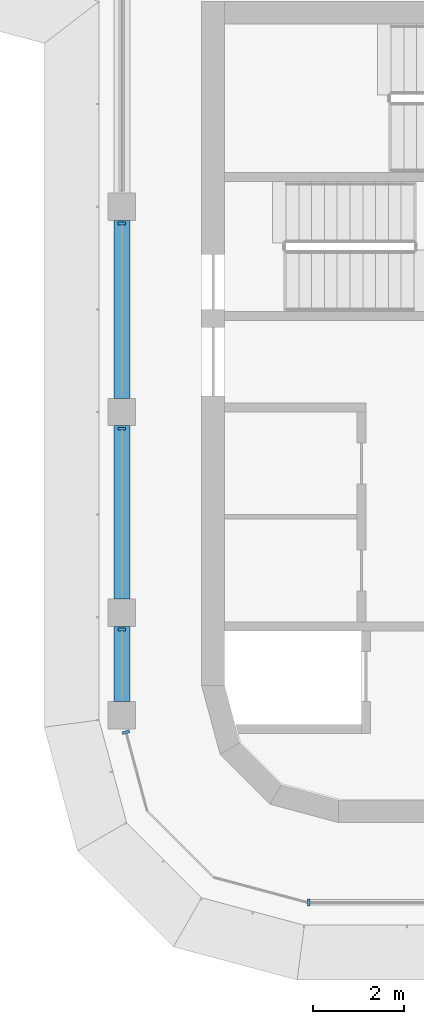
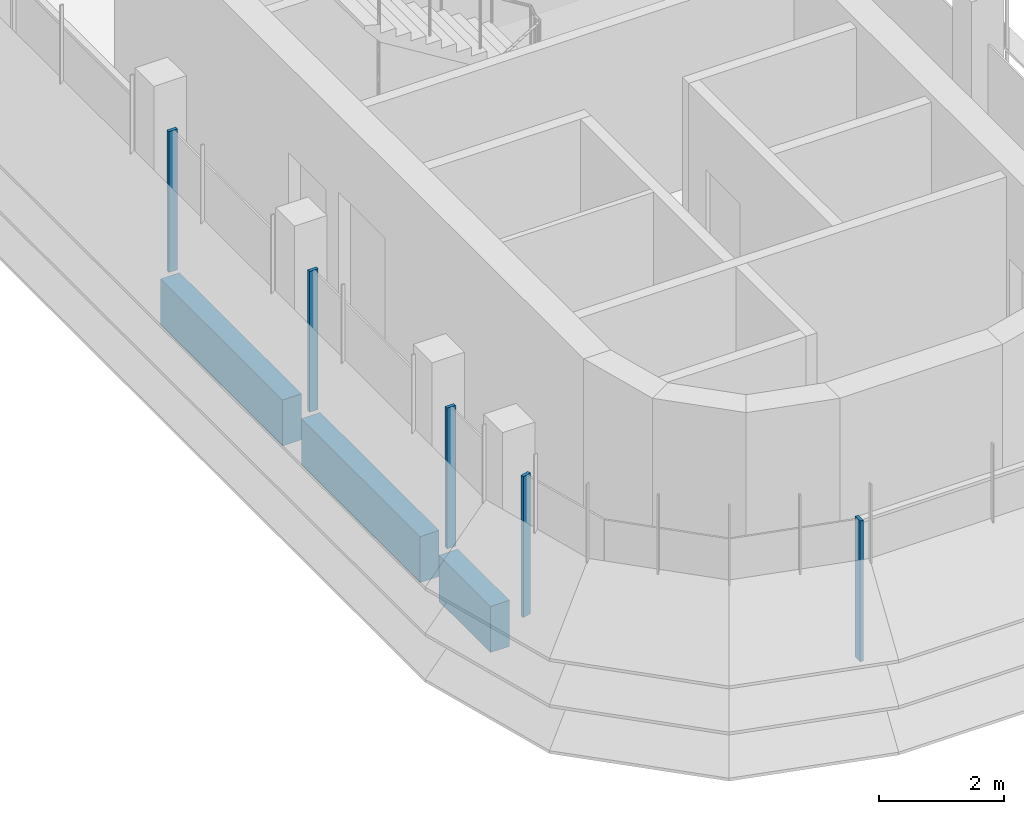
# One storey, part 2 of 19: 5 members, 3 beams, 3 elements without a shape of their own.
"""IFC4 building model written with IfcOpenShell, lengths in metres."""

from ifc_helpers import new_model, si_unit, direction, frame, origin, origin_2d, place, context, subcontext, project, spatial, polyline, rectangle, outline, extrude, source, transform, mapped, material, material_profile, profile_set, type_object, element, aggregate, save


model = new_model("IFC4")

# Units and contexts
model_context = context("Model", 3, precision=1e-05, world=origin(), true_north=direction((0.0, 1.0)))
body_context = subcontext(model_context, "Body", "Model", "MODEL_VIEW")
ifc_project = project(units=[si_unit("LENGTHUNIT", "METRE"), si_unit("AREAUNIT", "SQUARE_METRE"), si_unit("VOLUMEUNIT", "CUBIC_METRE"), si_unit("PLANEANGLEUNIT", "RADIAN"), si_unit("MASSUNIT", "GRAM", prefix="KILO")], contexts=[model_context])

# Site, building, storey
site_placement = place(None, origin())
site = spatial("IfcSite", under=ifc_project, at=site_placement, CompositionType="ELEMENT")
building_placement = place(site_placement, origin())
building = spatial("IfcBuilding", under=site, at=building_placement, Name="Zarbagh Exchange Tower", CompositionType="ELEMENT")
storey_placement = place(building_placement, frame((0.0, 0.0, 261.199951171875)))
storey = spatial("IfcBuildingStorey", under=building, at=storey_placement, Name="L64", CompositionType="ELEMENT", Elevation=261.199951171875)

# Beams
ifc_material_1 = material(Name="Concrete C40/50", Category="concrete")
ifc_material_profile = material_profile(ifc_material_1, rectangle(XDim=0.35009765625, YDim=0.89990234375, at=origin_2d()), Name="RC spandrel beam 350 x 900 C40/50")
ifc_profile_set = profile_set([ifc_material_profile], Name="Concrete C40/50")
beam_type = type_object("IfcBeamType", Name="RC spandrel beam 350 x 900 C40/50", PredefinedType="SPANDREL", material=ifc_profile_set)
beam_1_placement = place(storey_placement, frame((-6.25, -26.60009765625, -0.599853515625), z_axis=(0.0, 1.0, 0.0), x_axis=(-1.0, 0.0, 0.0)))
element("IfcBeam", 1, at=beam_1_placement, inside=storey, type_object=beam_type, Name="RC spandrel beam", PredefinedType="SPANDREL", context=body_context, shape_type="SweptSolid", body=[
    extrude(rectangle(XDim=0.35009765625, YDim=0.89990234375, at=origin_2d()), origin(), (0.0, 0.0, 1.0), 1.650146484375),
])
beam_2_placement = place(storey_placement, frame((-6.25, -24.35009765625, -0.599853515625), z_axis=(0.0, 1.0, 0.0), x_axis=(-1.0, 0.0, 0.0)))
element("IfcBeam", 2, at=beam_2_placement, inside=storey, type_object=beam_type, Name="RC spandrel beam", PredefinedType="SPANDREL", context=body_context, shape_type="SweptSolid", body=[
    extrude(rectangle(XDim=0.35009765625, YDim=0.89990234375, at=origin_2d()), origin(), (0.0, 0.0, 1.0), 3.800048828125),
])
beam_3_placement = place(storey_placement, frame((-6.25, -19.949951171875, -0.599853515625), z_axis=(0.0, 1.0, 0.0), x_axis=(-1.0, 0.0, 0.0)))
element("IfcBeam", 3, at=beam_3_placement, inside=storey, type_object=beam_type, Name="RC spandrel beam", PredefinedType="SPANDREL", context=body_context, shape_type="SweptSolid", body=[
    extrude(rectangle(XDim=0.35009765625, YDim=0.89990234375, at=origin_2d()), origin(), (0.0, 0.0, 1.0), 3.89990234375),
])

# Curtain wall, members
ifc_material_2 = material(Name="Anodised aluminium frame and glazing", Category="aluminium")
curtain_wall_type = type_object("IfcCurtainWallType", Name="CWB Ribbon glazing, upper zones", PredefinedType="NOTDEFINED", material=ifc_material_2)
curtain_wall_1_placement = place(storey_placement, origin())
curtain_wall_1 = element("IfcCurtainWall", 4, at=curtain_wall_1_placement, inside=storey, type_object=curtain_wall_type, Name="CWB53 curtain wall", PredefinedType="NOTDEFINED")
ifc_material_3 = material(Name="Anodised aluminium frame", Category="aluminium")
member_type = type_object("IfcMemberType", Name="MUB Mullion, anodised aluminium frame", PredefinedType="MULLION", material=ifc_material_3)
shared_shape = source(origin(), body_context, "Body", "SweptSolid", [
    extrude(outline(polyline([(0.0, -0.080078125), (0.06005859375, -0.080078125), (0.06005859375, 0.080078125), (0.0, 0.080078125), (0.0, -0.080078125)])), origin(), (0.0, 0.0, 1.0), 2.75),
])
placement = place(storey_placement, origin())
member_1 = element("IfcMember", 5, at=placement, type_object=member_type, Name="CWB53 mullion 2.1", PredefinedType="MULLION", context=body_context, shape_type="MappedRepresentation", body=[
    mapped(shared_shape, transform((-6.25, -16.090087890625, 0.0), x_axis=(0.0, -1.0, 0.0), y_axis=(1.0, 0.0, 0.0), z_axis=(0.0, 0.0, 1.0))),
])
member_2 = element("IfcMember", 6, at=placement, type_object=member_type, Name="CWB53 mullion 3.1", PredefinedType="MULLION", context=body_context, shape_type="MappedRepresentation", body=[
    mapped(shared_shape, transform((-6.25, -20.590087890625, 0.0), x_axis=(0.0, -1.0, 0.0), y_axis=(1.0, 0.0, 0.0), z_axis=(0.0, 0.0, 1.0))),
])
member_3 = element("IfcMember", 7, at=placement, type_object=member_type, Name="CWB53 mullion 4.1", PredefinedType="MULLION", context=body_context, shape_type="MappedRepresentation", body=[
    mapped(shared_shape, transform((-6.25, -24.989990234375, 0.0), x_axis=(0.0, -1.0, 0.0), y_axis=(1.0, 0.0, 0.0), z_axis=(0.0, 0.0, 1.0))),
])
aggregate(curtain_wall_1, [member_1, member_2, member_3])

# Curtain wall, member
curtain_wall_2_placement = place(storey_placement, origin())
curtain_wall_2 = element("IfcCurtainWall", 8, at=curtain_wall_2_placement, inside=storey, type_object=curtain_wall_type, Name="CWB54 curtain wall", PredefinedType="NOTDEFINED")
member_4 = element("IfcMember", 9, at=placement, type_object=member_type, Name="CWB54 mullion 1.1", PredefinedType="MULLION", context=body_context, shape_type="MappedRepresentation", body=[
    mapped(shared_shape, transform((-6.16796875, -27.239990234375, 0.0), x_axis=(0.258824779902, -0.965924289636, 0.0), y_axis=(0.965924289636, 0.258824779902, 0.0), z_axis=(0.0, 0.0, 1.0))),
])
aggregate(curtain_wall_2, [member_4])

curtain_wall_3_placement = place(storey_placement, origin())
curtain_wall_3 = element("IfcCurtainWall", 10, at=curtain_wall_3_placement, inside=storey, type_object=curtain_wall_type, Name="CWB57 curtain wall", PredefinedType="NOTDEFINED")
member_5 = element("IfcMember", 11, at=placement, type_object=member_type, Name="CWB57 mullion 1.1", PredefinedType="MULLION", context=body_context, shape_type="MappedRepresentation", body=[
    mapped(shared_shape, transform((-2.18408203125, -31.0, 0.0), x_axis=(1.0, 0.0, 0.0), y_axis=(0.0, 1.0, 0.0), z_axis=(0.0, 0.0, 1.0))),
])
aggregate(curtain_wall_3, [member_5])

save(model, "model.ifc")
